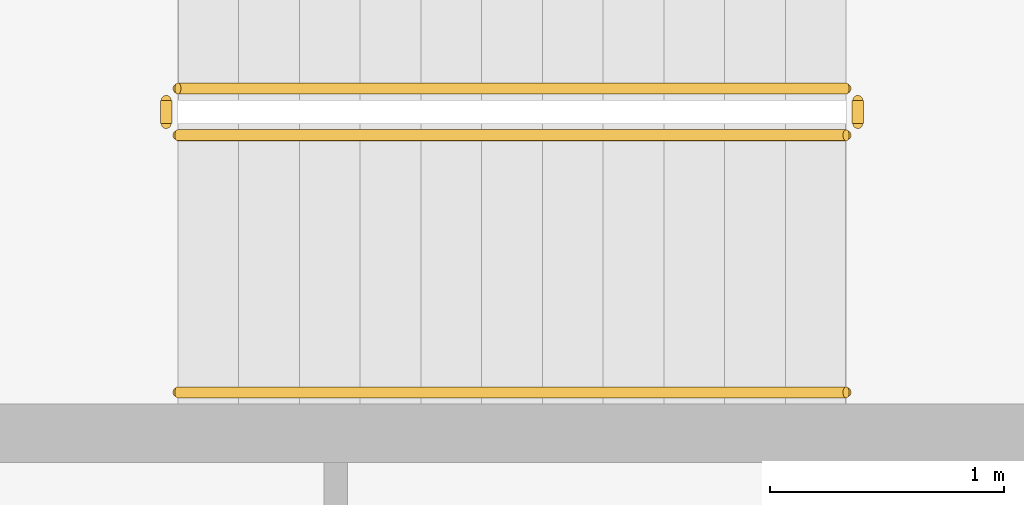
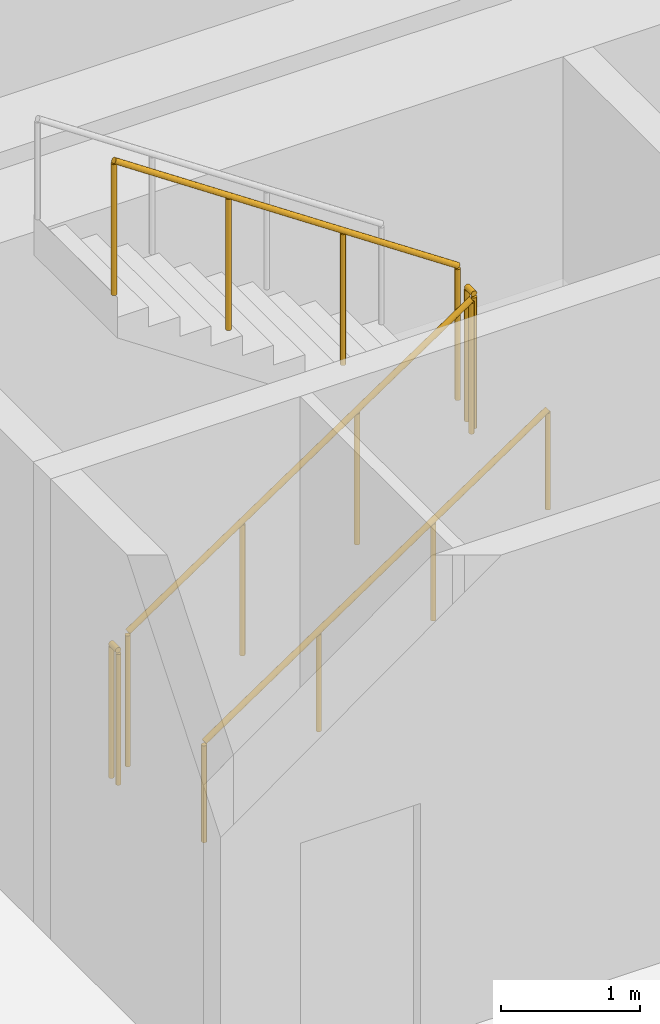
# One storey, part 21 of 25: 5 railings.
"""IFC4 building model written with IfcOpenShell, lengths in metres."""

from ifc_helpers import new_model, si_unit, direction, frame, origin, origin_2d, place, context, subcontext, project, spatial, circle, extrude, material, type_object, element, save


model = new_model("IFC4")

# Units and contexts
model_context = context("Model", 3, precision=1e-05, world=origin(), true_north=direction((0.0, 1.0)))
body_context = subcontext(model_context, "Body", "Model", "MODEL_VIEW")
ifc_project = project(units=[si_unit("LENGTHUNIT", "METRE"), si_unit("AREAUNIT", "SQUARE_METRE"), si_unit("VOLUMEUNIT", "CUBIC_METRE"), si_unit("PLANEANGLEUNIT", "RADIAN"), si_unit("MASSUNIT", "GRAM", prefix="KILO")], contexts=[model_context])

# Site, building, storey
site_placement = place(None, origin())
site = spatial("IfcSite", under=ifc_project, at=site_placement, CompositionType="ELEMENT")
building_placement = place(site_placement, origin())
building = spatial("IfcBuilding", under=site, at=building_placement, Name="Sahrelin Media Tower", CompositionType="ELEMENT")
storey_placement = place(building_placement, frame((0.0, 0.0, 110.39990234375)))
storey = spatial("IfcBuildingStorey", under=building, at=storey_placement, Name="L21", CompositionType="ELEMENT", Elevation=110.39990234375)

# Railings
ifc_material = material(Name="Steel S355", Category="steel")
railing_type_1 = type_object("IfcRailingType", Name="Stair guard 1200", PredefinedType="GUARDRAIL", material=ifc_material)
railing_1_placement = place(storey_placement, frame((-7.675048828125, 5.25, 0.175048828125)))
element("IfcRailing", 1, at=railing_1_placement, inside=storey, type_object=railing_type_1, Name="L21 ST1 stair guard 1", PredefinedType="GUARDRAIL", context=body_context, shape_type="SweptSolid", body=[
    extrude(circle(Radius=0.02392578125, at=origin_2d()), frame((0.0, 0.0, 1.17578125), z_axis=(0.829590901723, 0.0, 0.558371682465), x_axis=(0.0, 1.0, 0.0)), (0.0, 0.0, 1.0), 3.447509765625),
    extrude(circle(Radius=0.02099609375, at=origin_2d()), origin(), (0.0, 0.0, 1.0), 1.15185546875),
    extrude(circle(Radius=0.02099609375, at=origin_2d()), frame((0.953369140625, 0.0, 0.6416015625)), (0.0, 0.0, 1.0), 1.15185546875),
    extrude(circle(Radius=0.02099609375, at=origin_2d()), frame((1.90673828125, 0.0, 1.283447265625)), (0.0, 0.0, 1.0), 1.15185546875),
    extrude(circle(Radius=0.02099609375, at=origin_2d()), frame((2.860107421875, 0.0, 1.925048828125)), (0.0, 0.0, 1.0), 1.15185546875),
])
railing_2_placement = place(storey_placement, frame((-4.764892578125, 5.300048828125, 2.10009765625)))
element("IfcRailing", 2, at=railing_2_placement, inside=storey, type_object=railing_type_1, Name="L21 ST1 stair guard 2", PredefinedType="GUARDRAIL", context=body_context, shape_type="SweptSolid", body=[
    extrude(circle(Radius=0.02392578125, at=origin_2d()), frame((0.0, 0.0, 1.17578125), z_axis=(0.0, 1.0, 0.0), x_axis=(-1.0, 0.0, 0.0)), (0.0, 0.0, 1.0), 0.099853515625),
    extrude(circle(Radius=0.02099609375, at=origin_2d()), origin(), (0.0, 0.0, 1.0), 1.15185546875),
    extrude(circle(Radius=0.02099609375, at=origin_2d()), frame((0.0, 0.099853515625, 0.0)), (0.0, 0.0, 1.0), 1.15185546875),
])
railing_3_placement = place(storey_placement, frame((-4.81494140625, 5.449951171875, 2.275146484375)))
element("IfcRailing", 3, at=railing_3_placement, inside=storey, type_object=railing_type_1, Name="L21 ST1 stair guard 3", PredefinedType="GUARDRAIL", context=body_context, shape_type="SweptSolid", body=[
    extrude(circle(Radius=0.02392578125, at=origin_2d()), frame((0.0, 0.0, 1.17578125), z_axis=(-0.829590901723, 0.0, 0.558371682465), x_axis=(0.0, -1.0, 0.0)), (0.0, 0.0, 1.0), 3.447509765625),
    extrude(circle(Radius=0.02099609375, at=origin_2d()), origin(), (0.0, 0.0, 1.0), 1.15185546875),
    extrude(circle(Radius=0.02099609375, at=origin_2d()), frame((-0.953369140625, 0.0, 0.6416015625)), (0.0, 0.0, 1.0), 1.15185546875),
    extrude(circle(Radius=0.02099609375, at=origin_2d()), frame((-1.90673828125, 0.0, 1.283447265625)), (0.0, 0.0, 1.0), 1.15185546875),
    extrude(circle(Radius=0.02099609375, at=origin_2d()), frame((-2.860107421875, 0.0, 1.925048828125)), (0.0, 0.0, 1.0), 1.15185546875),
])
railing_4_placement = place(storey_placement, frame((-7.72509765625, 5.300048828125, 0.0)))
element("IfcRailing", 4, at=railing_4_placement, inside=storey, type_object=railing_type_1, Name="L21 ST1 stair guard 4", PredefinedType="GUARDRAIL", context=body_context, shape_type="SweptSolid", body=[
    extrude(circle(Radius=0.02392578125, at=origin_2d()), frame((0.0, 0.0, 1.17578125), z_axis=(0.0, 1.0, 0.0), x_axis=(-1.0, 0.0, 0.0)), (0.0, 0.0, 1.0), 0.099853515625),
    extrude(circle(Radius=0.02099609375, at=origin_2d()), origin(), (0.0, 0.0, 1.0), 1.15185546875),
    extrude(circle(Radius=0.02099609375, at=origin_2d()), frame((0.0, 0.099853515625, 0.0)), (0.0, 0.0, 1.0), 1.15185546875),
])
railing_type_2 = type_object("IfcRailingType", Name="Stair handrail 900", PredefinedType="HANDRAIL", material=ifc_material)
railing_5_placement = place(storey_placement, frame((-7.675048828125, 4.14990234375, 0.175048828125)))
element("IfcRailing", 5, at=railing_5_placement, inside=storey, type_object=railing_type_2, Name="L21 ST1 stair handrail 1", PredefinedType="HANDRAIL", context=body_context, shape_type="SweptSolid", body=[
    extrude(circle(Radius=0.02392578125, at=origin_2d()), frame((0.0, 0.0, 0.8759765625), z_axis=(0.829590901723, 0.0, 0.558371682465), x_axis=(0.0, 1.0, 0.0)), (0.0, 0.0, 1.0), 3.447509765625),
    extrude(circle(Radius=0.02099609375, at=origin_2d()), origin(), (0.0, 0.0, 1.0), 0.851806640625),
    extrude(circle(Radius=0.02099609375, at=origin_2d()), frame((0.953369140625, 0.0, 0.6416015625)), (0.0, 0.0, 1.0), 0.851806640625),
    extrude(circle(Radius=0.02099609375, at=origin_2d()), frame((1.90673828125, 0.0, 1.283447265625)), (0.0, 0.0, 1.0), 0.851806640625),
    extrude(circle(Radius=0.02099609375, at=origin_2d()), frame((2.860107421875, 0.0, 1.925048828125)), (0.0, 0.0, 1.0), 0.851806640625),
])

save(model, "model.ifc")
